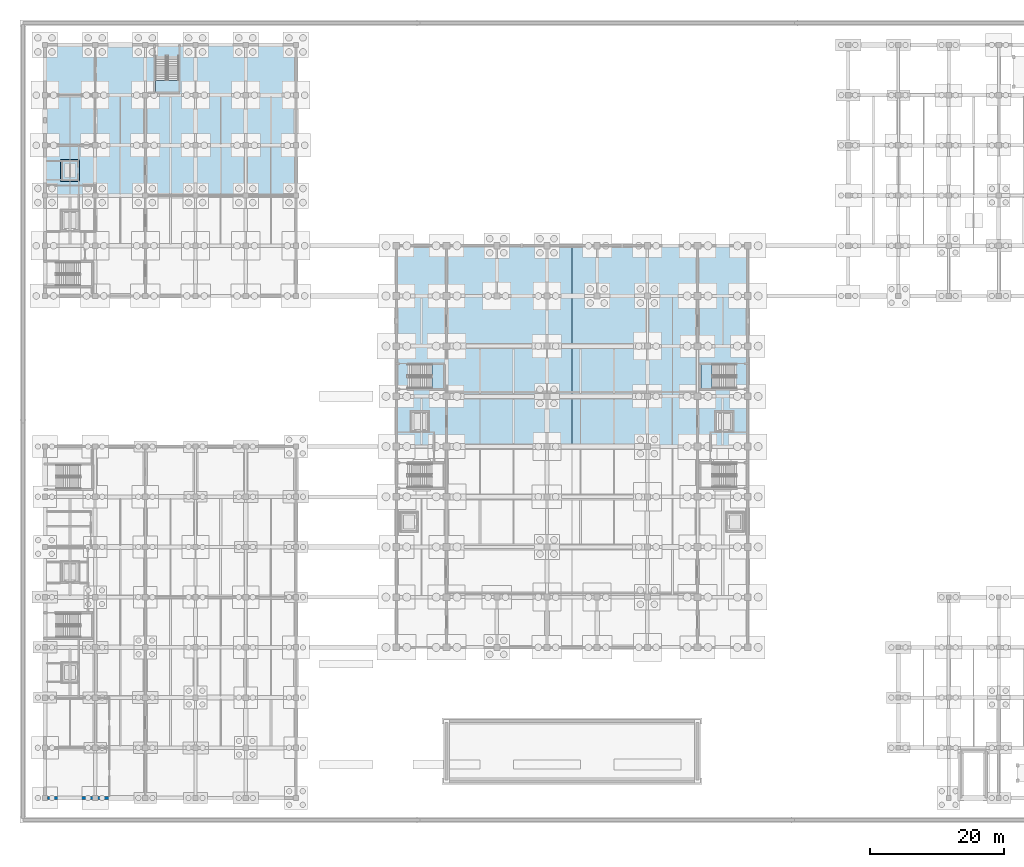
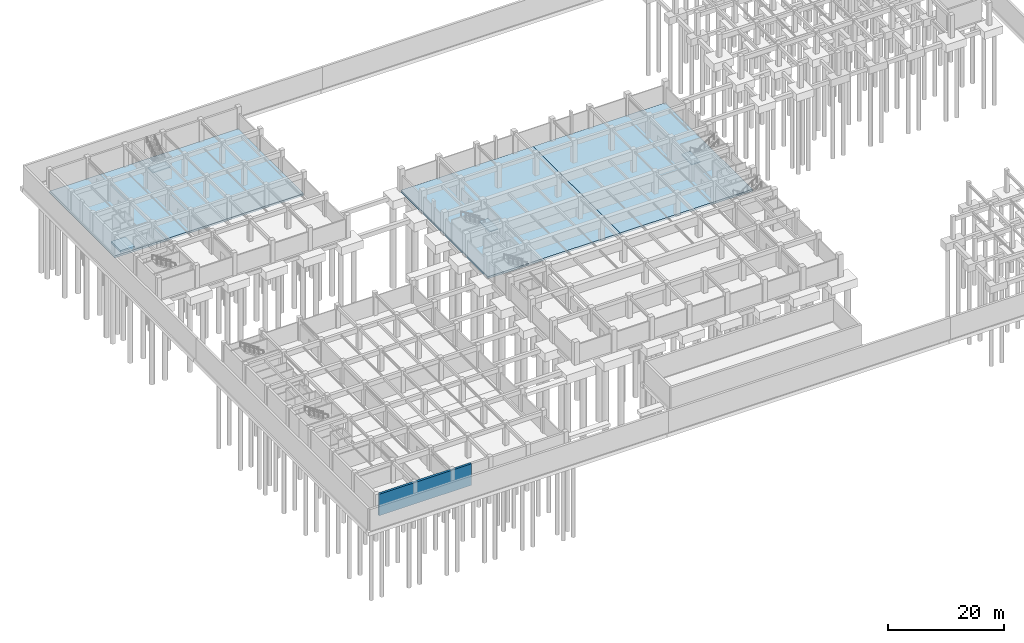
# One storey, part 20 of 38: 7 slabs, 1 wall, 3 elements without a shape of their own.
"""IFC4 building model written with IfcOpenShell, lengths in metres."""

from ifc_helpers import new_model, si_unit, direction, frame, frame_2d, origin, place, context, subcontext, project, spatial, polyline, rectangle, outline, extrude, material, layer, layer_set, type_object, element, aggregate, save


model = new_model("IFC4")

# Units and contexts
model_context = context("Model", 3, precision=1e-05, world=origin(), true_north=direction((0.0, 1.0)))
body_context = subcontext(model_context, "Body", "Model", "MODEL_VIEW")
ifc_project = project(units=[si_unit("LENGTHUNIT", "METRE"), si_unit("AREAUNIT", "SQUARE_METRE"), si_unit("VOLUMEUNIT", "CUBIC_METRE"), si_unit("PLANEANGLEUNIT", "RADIAN"), si_unit("MASSUNIT", "GRAM", prefix="KILO")], contexts=[model_context])

# Site, building, storey
site_placement = place(None, origin())
site = spatial("IfcSite", under=ifc_project, at=site_placement, CompositionType="ELEMENT")
building_placement = place(site_placement, origin())
building = spatial("IfcBuilding", under=site, at=building_placement, Name="Qasida Concert Hall", CompositionType="ELEMENT")
storey_placement = place(building_placement, frame((0.0, 0.0, -4.800048828125)))
storey = spatial("IfcBuildingStorey", under=building, at=storey_placement, Name="B1", CompositionType="ELEMENT", Elevation=-4.800048828125)

# Slabs
ifc_material = material(Name="Concrete C40/50", Category="concrete")
ifc_layer_1 = layer(ifc_material, 0.3798828125, Name="Concrete C40/50")
ifc_layer_set_1 = layer_set([ifc_layer_1], Name="Concrete C40/50")
slab_type_1 = type_object("IfcSlabType", Name="SL-BS-380", PredefinedType="BASESLAB", material=ifc_layer_set_1)
slab_1_placement = place(storey_placement, frame((0.0, 0.0, -1.39990234375)))
element("IfcSlab", 1, at=slab_1_placement, inside=storey, type_object=slab_type_1, Name="Lift pit slab LF-07", PredefinedType="BASESLAB", context=body_context, shape_type="SweptSolid", body=[
    extrude(outline(polyline([(2.330078125, 92.1298828125), (5.169921875, 92.1298828125), (5.169921875, 95.3701171875), (2.330078125, 95.3701171875), (2.330078125, 92.1298828125)])), origin(), (0.0, 0.0, 1.0), 0.3798828125),
])
ifc_layer_2 = layer(ifc_material, 0.419921875, Name="Concrete C40/50")
ifc_layer_set_2 = layer_set([ifc_layer_2], Name="Concrete C40/50")
slab_type_2 = type_object("IfcSlabType", Name="SL-BS-420", PredefinedType="BASESLAB", material=ifc_layer_set_2)
slab_2_placement = place(storey_placement, frame((0.0, 0.0, -0.419921875)))
element("IfcSlab", 2, at=slab_2_placement, inside=storey, type_object=slab_type_2, Name="V1 basement north-west (BS-420)", PredefinedType="BASESLAB", context=body_context, shape_type="SweptSolid", body=[
    extrude(outline(polyline([(52.5, 52.5), (78.75, 52.5), (78.75, 82.5), (52.5, 82.5), (52.5, 52.5)])), origin(), (0.0, 0.0, 1.0), 0.419921875),
])
slab_3_placement = place(storey_placement, frame((0.0, 0.0, -0.419921875)))
element("IfcSlab", 3, at=slab_3_placement, inside=storey, type_object=slab_type_2, Name="V1 basement north-east (BS-420)", PredefinedType="BASESLAB", context=body_context, shape_type="SweptSolid", body=[
    extrude(outline(polyline([(78.75, 52.5), (105.0, 52.5), (105.0, 82.5), (78.75, 82.5), (78.75, 52.5)])), origin(), (0.0, 0.0, 1.0), 0.419921875),
])
slab_4_placement = place(storey_placement, frame((0.0, 0.0, -0.419921875)))
element("IfcSlab", 4, at=slab_4_placement, inside=storey, type_object=slab_type_2, Name="V5 basement north metro concourse (BS-420)", PredefinedType="BASESLAB", context=body_context, shape_type="SweptSolid", body=[
    extrude(outline(polyline([(0.0, 90.0), (37.5, 90.0), (37.5, 112.5), (0.0, 112.5), (0.0, 90.0)])), origin(), (0.0, 0.0, 1.0), 0.419921875),
])

# Stair, slab
stair_type_1 = type_object("IfcStairType", Name="ST-DL-165", PredefinedType="HALF_TURN_STAIR", material=ifc_material)
stair_1_placement = place(storey_placement, origin())
stair_1 = element("IfcStair", 5, at=stair_1_placement, inside=storey, type_object=stair_type_1, Name="B1 Exit stair ST-06", PredefinedType="HALF_TURN_STAIR")
ifc_layer_3 = layer(ifc_material, 0.199951171875, Name="Concrete C40/50")
ifc_layer_set_3 = layer_set([ifc_layer_3], Name="Concrete C40/50")
slab_type_3 = type_object("IfcSlabType", Name="SL-LND-200", PredefinedType="LANDING", material=ifc_layer_set_3)
slab_5_placement = place(storey_placement, frame((0.0, 0.0, 2.199951171875)))
slab_5 = element("IfcSlab", 6, at=slab_5_placement, type_object=slab_type_3, Name="ST-06 landing 1", PredefinedType="LANDING", context=body_context, shape_type="SweptSolid", body=[
    extrude(outline(polyline([(16.5, 107.2099609375), (16.5, 105.47998046875), (20.0, 105.47998046875), (20.0, 107.2099609375), (16.5, 107.2099609375)])), origin(), (0.0, 0.0, 1.0), 0.2001953125),
])
aggregate(stair_1, [slab_5])

stair_type_2 = type_object("IfcStairType", Name="ST-DL-168", PredefinedType="HALF_TURN_STAIR", material=ifc_material)
stair_2_placement = place(storey_placement, origin())
stair_2 = element("IfcStair", 7, at=stair_2_placement, inside=storey, type_object=stair_type_2, Name="B1 Exit stair ST-11", PredefinedType="HALF_TURN_STAIR")
slab_6_placement = place(storey_placement, frame((0.0, 0.0, 2.199951171875)))
slab_6 = element("IfcSlab", 8, at=slab_6_placement, type_object=slab_type_3, Name="ST-11 landing 1", PredefinedType="LANDING", context=body_context, shape_type="SweptSolid", body=[
    extrude(outline(polyline([(57.820068359375, 61.199951171875), (59.52001953125, 61.199951171875), (59.52001953125, 64.760009765625), (57.820068359375, 64.760009765625), (57.820068359375, 61.199951171875)])), origin(), (0.0, 0.0, 1.0), 0.2001953125),
])
aggregate(stair_2, [slab_6])

stair_3_placement = place(storey_placement, origin())
stair_3 = element("IfcStair", 9, at=stair_3_placement, inside=storey, type_object=stair_type_2, Name="B1 Exit stair ST-12", PredefinedType="HALF_TURN_STAIR")
slab_7_placement = place(storey_placement, frame((0.0, 0.0, 2.199951171875)))
slab_7 = element("IfcSlab", 10, at=slab_7_placement, type_object=slab_type_3, Name="ST-12 landing 1", PredefinedType="LANDING", context=body_context, shape_type="SweptSolid", body=[
    extrude(outline(polyline([(99.679931640625, 64.760009765625), (97.97998046875, 64.760009765625), (97.97998046875, 61.199951171875), (99.679931640625, 61.199951171875), (99.679931640625, 64.760009765625)])), origin(), (0.0, 0.0, 1.0), 0.2001953125),
])
aggregate(stair_3, [slab_7])

# Wall
ifc_layer_4 = layer(ifc_material, 0.449951171875, Name="Concrete C40/50")
ifc_layer_set_4 = layer_set([ifc_layer_4], Name="Concrete C40/50")
wall_type = type_object("IfcWallType", Name="WL-RW-450", PredefinedType="USERDEFINED", material=ifc_layer_set_4)
wall_placement = place(storey_placement, frame((0.4150390625, 0.0, 0.0), z_axis=(0.0, 0.0, 1.0), x_axis=(1.0, 0.0, 0.0)))
element("IfcWall", 11, at=wall_placement, inside=storey, type_object=wall_type, Name="B1 retaining wall RW-450 005", ObjectType="RETAININGWALL", PredefinedType="USERDEFINED", context=body_context, shape_type="SweptSolid", body=[
    extrude(rectangle(XDim=18.3349609375, YDim=0.449951171875, at=frame_2d((9.16748046875, 0.0))), origin(), (0.0, 0.0, 1.0), 4.5),
])

save(model, "model.ifc")
